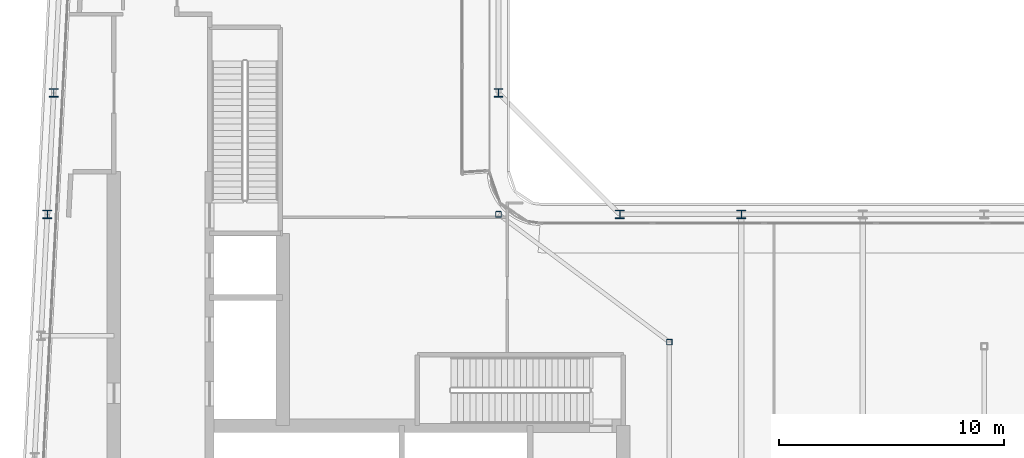
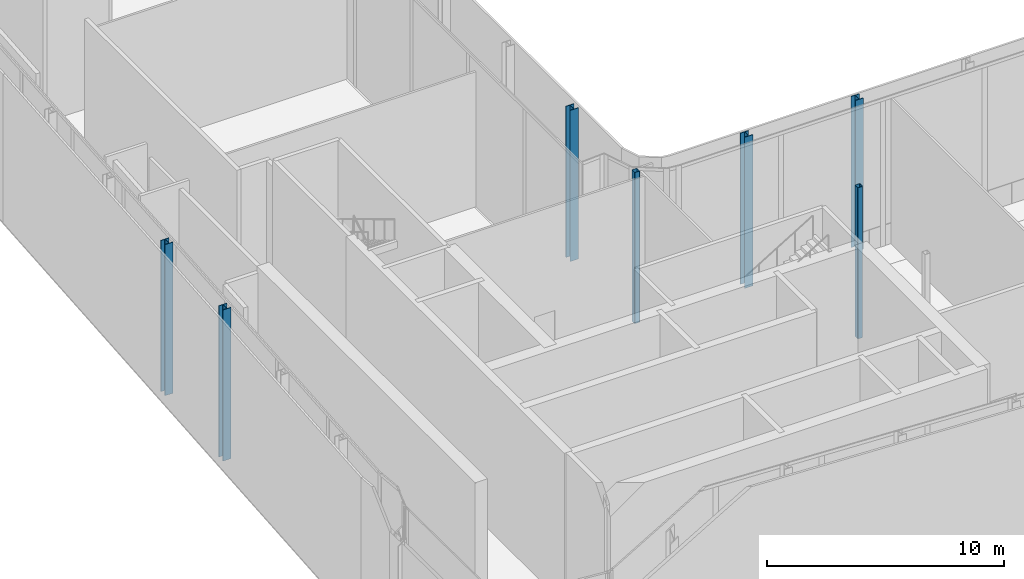
# One storey, part 2 of 27: 7 columns.
"""IFC4 building model written with IfcOpenShell, lengths in metres."""

from ifc_helpers import new_model, si_unit, direction, frame, origin, origin_2d, place, context, subcontext, project, spatial, hollow_rectangle, i_section, extrude, material, material_profile, profile_set, type_object, element, save


model = new_model("IFC4")

# Units and contexts
model_context = context("Model", 3, precision=1e-05, world=origin(), true_north=direction((0.0, 1.0)))
body_context = subcontext(model_context, "Body", "Model", "MODEL_VIEW")
ifc_project = project(units=[si_unit("LENGTHUNIT", "METRE"), si_unit("AREAUNIT", "SQUARE_METRE"), si_unit("VOLUMEUNIT", "CUBIC_METRE"), si_unit("PLANEANGLEUNIT", "RADIAN"), si_unit("MASSUNIT", "GRAM", prefix="KILO")], contexts=[model_context])

# Site, building, storey
site_placement = place(None, origin())
site = spatial("IfcSite", under=ifc_project, at=site_placement, CompositionType="ELEMENT")
building_placement = place(site_placement, origin())
building = spatial("IfcBuilding", under=site, at=building_placement, Name="Kheshtan School and Residences Tower", CompositionType="ELEMENT")
storey_placement = place(building_placement, frame((0.0, 0.0, 266.89990234375)))
storey = spatial("IfcBuildingStorey", under=building, at=storey_placement, Name="L63", CompositionType="ELEMENT", Elevation=266.89990234375)

# Columns
ifc_material_1 = material(Name="Steel ASTM A992 Grade 50", Category="steel")
ifc_material_profile_1 = material_profile(ifc_material_1, i_section(OverallWidth=0.39501953125, OverallDepth=0.3798828125, WebThickness=0.018798828125, FlangeThickness=0.0302734375, FilletRadius=0.011474609375, at=origin_2d()), Name="W360x237")
ifc_profile_set_1 = profile_set([ifc_material_profile_1], Name="Steel ASTM A992 Grade 50")
column_type_1 = type_object("IfcColumnType", Name="Column C5 W360x237 ASTM A992 Grade 50", PredefinedType="COLUMN", material=ifc_profile_set_1)
for number, where, z_axis, x_axis, name in (
    (1, (27.537109375, 45.60009765625, 0.0), (0.0, 0.0, 1.0), (1.0, 0.0, 0.0), "Column C059"),
    (2, (53.0, 45.60009765625, 0.0), (0.0, 0.0, 1.0), (1.0, 0.0, 0.0), "Column C061"),
    (3, (58.39990234375, 45.60009765625, 0.0), (0.0, 0.0, 1.0), (1.0, 0.0, 0.0), "Column C062"),
    (4, (27.822021484375, 51.0, 0.0), (0.0, 0.0, 1.0), (1.0, 0.0, 0.0), "Column C078"),
    (5, (47.60009765625, 51.0, 0.0), (0.0, 0.0, 1.0), (1.0, 0.0, 0.0), "Column C079"),
):
    element("IfcColumn", number, at=place(storey_placement, frame(where, z_axis=z_axis, x_axis=x_axis)), inside=storey, type_object=column_type_1, Name=name, PredefinedType="COLUMN", context=body_context, shape_type="SweptSolid", body=[
        extrude(i_section(OverallWidth=0.39501953125, OverallDepth=0.3798828125, WebThickness=0.018798828125, FlangeThickness=0.0302734375, FilletRadius=0.011474609375, at=origin_2d()), origin(), (0.0, 0.0, 1.0), 7.800048828125),
    ])
ifc_material_2 = material(Name="Steel ASTM A500 Grade C", Category="steel")
ifc_material_profile_2 = material_profile(ifc_material_2, hollow_rectangle(XDim=0.25390625, YDim=0.25390625, WallThickness=0.0126953125, InnerFilletRadius=0.0126953125, OuterFilletRadius=0.025390625, at=origin_2d()), Name="HSS 254x254x12.7")
ifc_profile_set_2 = profile_set([ifc_material_profile_2], Name="Steel ASTM A500 Grade C")
column_type_2 = type_object("IfcColumnType", Name="Column IC3 HSS 254x254x12.7 ASTM A500 Grade C", PredefinedType="COLUMN", material=ifc_profile_set_2)
for number, where, z_axis, x_axis, name in (
    (6, (55.199951171875, 39.916015625, 0.0), (0.0, 0.0, 1.0), (1.0, 0.0, 0.0), "Column C055"),
    (7, (47.60009765625, 45.60009765625, 0.0), (0.0, 0.0, 1.0), (1.0, 0.0, 0.0), "Column C060"),
):
    element("IfcColumn", number, at=place(storey_placement, frame(where, z_axis=z_axis, x_axis=x_axis)), inside=storey, type_object=column_type_2, Name=name, PredefinedType="COLUMN", context=body_context, shape_type="SweptSolid", body=[
        extrude(hollow_rectangle(XDim=0.25390625, YDim=0.25390625, WallThickness=0.0126953125, InnerFilletRadius=0.0126953125, OuterFilletRadius=0.025390625, at=origin_2d()), origin(), (0.0, 0.0, 1.0), 7.800048828125),
    ])

save(model, "model.ifc")
